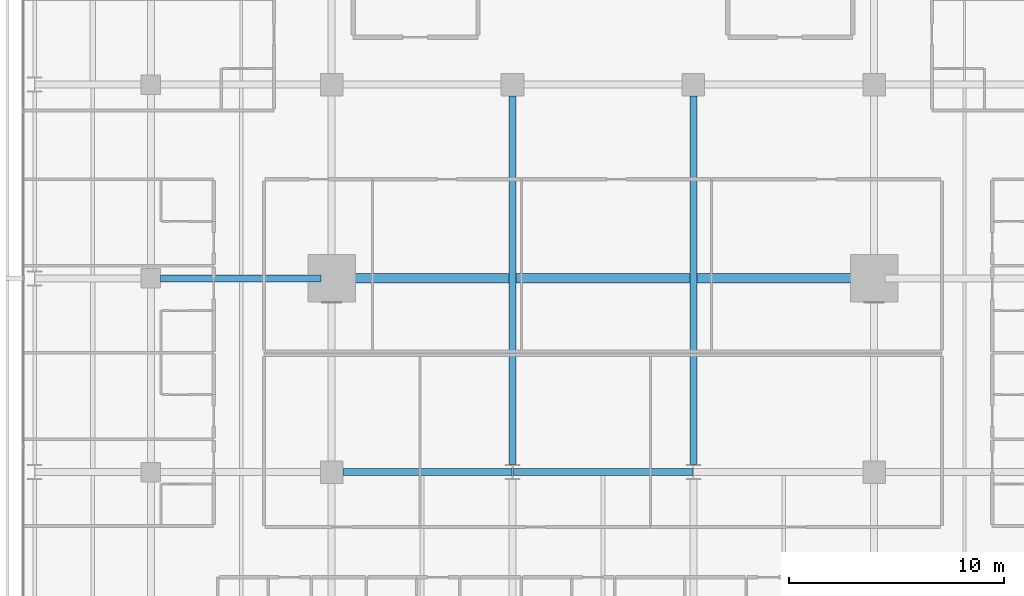
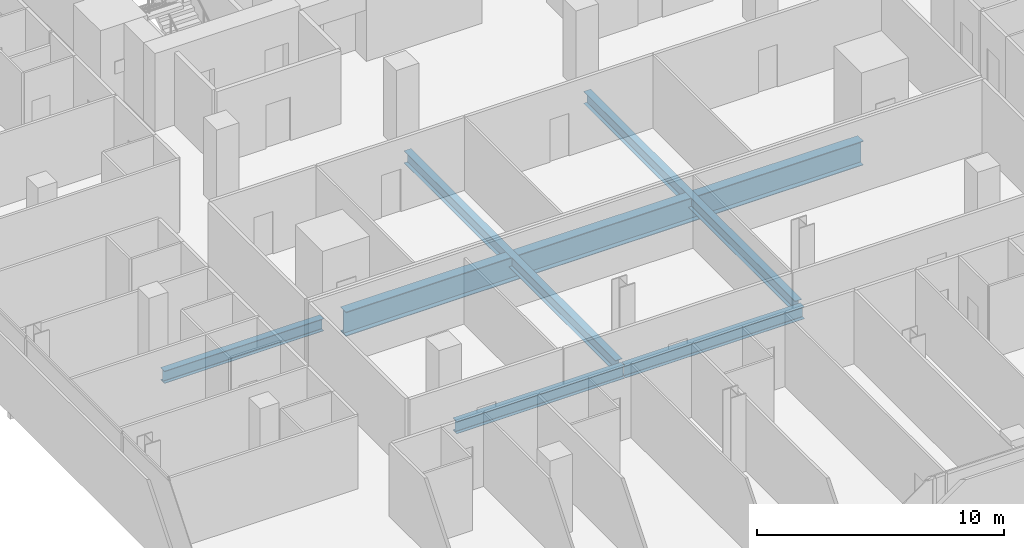
# One storey, part 13 of 40: 6 beams.
"""IFC4 building model written with IfcOpenShell, lengths in metres."""

from ifc_helpers import new_model, si_unit, direction, frame, origin, origin_2d, place, context, subcontext, project, spatial, i_section, extrude, material, material_profile, profile_set, type_object, element, save


model = new_model("IFC4")

# Units and contexts
model_context = context("Model", 3, precision=1e-05, world=origin(), true_north=direction((0.0, 1.0)))
body_context = subcontext(model_context, "Body", "Model", "MODEL_VIEW")
ifc_project = project(units=[si_unit("LENGTHUNIT", "METRE"), si_unit("AREAUNIT", "SQUARE_METRE"), si_unit("VOLUMEUNIT", "CUBIC_METRE"), si_unit("PLANEANGLEUNIT", "RADIAN"), si_unit("MASSUNIT", "GRAM", prefix="KILO")], contexts=[model_context])

# Site, building, storey
site_placement = place(None, origin())
site = spatial("IfcSite", under=ifc_project, at=site_placement, CompositionType="ELEMENT")
building_placement = place(site_placement, origin())
building = spatial("IfcBuilding", under=site, at=building_placement, Name="Maruvema Waterfront Hotel and Observation Tower", CompositionType="ELEMENT")
storey_placement = place(building_placement, frame((0.0, 0.0, 80.85009765625)))
storey = spatial("IfcBuildingStorey", under=building, at=storey_placement, Name="L19", CompositionType="ELEMENT", Elevation=80.85009765625)

# Beams
ifc_material_1 = material(Name="Steel ASTM A572 Grade 50", Category="steel")
ifc_material_profile_1 = material_profile(ifc_material_1, i_section(OverallWidth=0.323974609375, OverallDepth=0.611083984375, WebThickness=0.0126953125, FlangeThickness=0.01904296875, FilletRadius=0.01806640625, at=origin_2d()), Name="W610x155.0")
ifc_profile_set_1 = profile_set([ifc_material_profile_1], Name="Steel ASTM A572 Grade 50")
beam_type_1 = type_object("IfcBeamType", Name="Primary Floor Girder W610x155.0", PredefinedType="BEAM", material=ifc_profile_set_1)
beam_1_placement = place(storey_placement, frame((25.72509765625, 18.0, -0.545654296875), z_axis=(1.0, 0.0, 0.0), x_axis=(0.0, 1.0, 0.0)))
element("IfcBeam", 1, at=beam_1_placement, inside=storey, type_object=beam_type_1, Name="L19 Floor Girder EW-15", PredefinedType="BEAM", context=body_context, shape_type="SweptSolid", body=[
    extrude(i_section(OverallWidth=0.323974609375, OverallDepth=0.611083984375, WebThickness=0.0126953125, FlangeThickness=0.01904296875, FilletRadius=0.01806640625, at=origin_2d()), origin(), (0.0, 0.0, 1.0), 7.86083984375),
])
beam_2_placement = place(storey_placement, frame((33.614013671875, 18.0, -0.545654296875), z_axis=(1.0, 0.0, 0.0), x_axis=(0.0, 1.0, 0.0)))
element("IfcBeam", 2, at=beam_2_placement, inside=storey, type_object=beam_type_1, Name="L19 Floor Girder EW-16", PredefinedType="BEAM", context=body_context, shape_type="SweptSolid", body=[
    extrude(i_section(OverallWidth=0.323974609375, OverallDepth=0.611083984375, WebThickness=0.0126953125, FlangeThickness=0.01904296875, FilletRadius=0.01806640625, at=origin_2d()), origin(), (0.0, 0.0, 1.0), 8.3720703125),
])
beam_3_placement = place(storey_placement, frame((17.25, 27.0, -0.545654296875), z_axis=(1.0, 0.0, 0.0), x_axis=(0.0, 1.0, 0.0)))
element("IfcBeam", 3, at=beam_3_placement, inside=storey, type_object=beam_type_1, Name="L19 Floor Girder EW-21", PredefinedType="BEAM", context=body_context, shape_type="SweptSolid", body=[
    extrude(i_section(OverallWidth=0.323974609375, OverallDepth=0.611083984375, WebThickness=0.0126953125, FlangeThickness=0.01904296875, FilletRadius=0.01806640625, at=origin_2d()), origin(), (0.0, 0.0, 1.0), 7.449951171875),
])
for number, where, z_axis, x_axis, name in (
    (4, (33.60009765625, 18.35009765625, -0.545654296875), (0.0, 1.0, 0.0), (-1.0, 0.0, 0.0), "L19 Floor Girder NS-18"),
    (5, (42.0, 18.35009765625, -0.545654296875), (0.0, 1.0, 0.0), (-1.0, 0.0, 0.0), "L19 Floor Girder NS-21"),
):
    element("IfcBeam", number, at=place(storey_placement, frame(where, z_axis=z_axis, x_axis=x_axis)), inside=storey, type_object=beam_type_1, Name=name, PredefinedType="BEAM", context=body_context, shape_type="SweptSolid", body=[
        extrude(i_section(OverallWidth=0.323974609375, OverallDepth=0.611083984375, WebThickness=0.0126953125, FlangeThickness=0.01904296875, FilletRadius=0.01806640625, at=origin_2d()), origin(), (0.0, 0.0, 1.0), 17.125),
    ])
ifc_material_2 = material(Name="Steel ABNT NBR 7007 AR 415 (ASTM A572 Grade 50)", Category="steel")
ifc_material_profile_2 = material_profile(ifc_material_2, i_section(OverallWidth=0.449951171875, OverallDepth=1.199951171875, WebThickness=0.01904296875, FlangeThickness=0.031982421875, at=origin_2d()), Name="VS1200x366")
ifc_profile_set_2 = profile_set([ifc_material_profile_2], Name="Steel ABNT NBR 7007 AR 415 (ASTM A572 Grade 50)")
beam_type_2 = type_object("IfcBeamType", Name="Upper Setback Transfer Girder VS1200x366", PredefinedType="USERDEFINED", material=ifc_profile_set_2)
beam_4_placement = place(storey_placement, frame((25.699951171875, 27.0, -0.840087890625), z_axis=(1.0, 0.0, 0.0), x_axis=(0.0, 1.0, 0.0)))
element("IfcBeam", 6, at=beam_4_placement, inside=storey, type_object=beam_type_2, Name="L19 Floor Girder EW-22", ObjectType="TRANSFER GIRDER", PredefinedType="USERDEFINED", context=body_context, shape_type="SweptSolid", body=[
    extrude(i_section(OverallWidth=0.449951171875, OverallDepth=1.199951171875, WebThickness=0.01904296875, FlangeThickness=0.031982421875, at=origin_2d()), origin(), (0.0, 0.0, 1.0), 24.199951171875),
])

save(model, "model.ifc")
